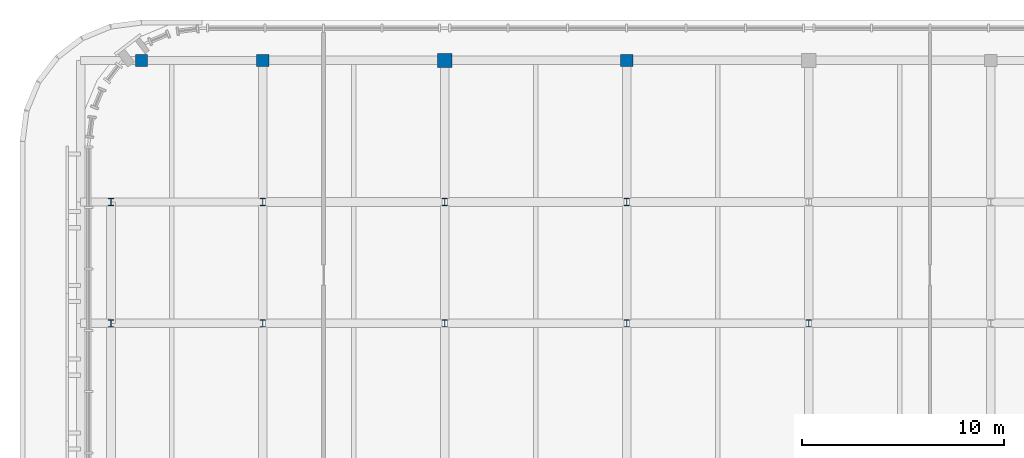
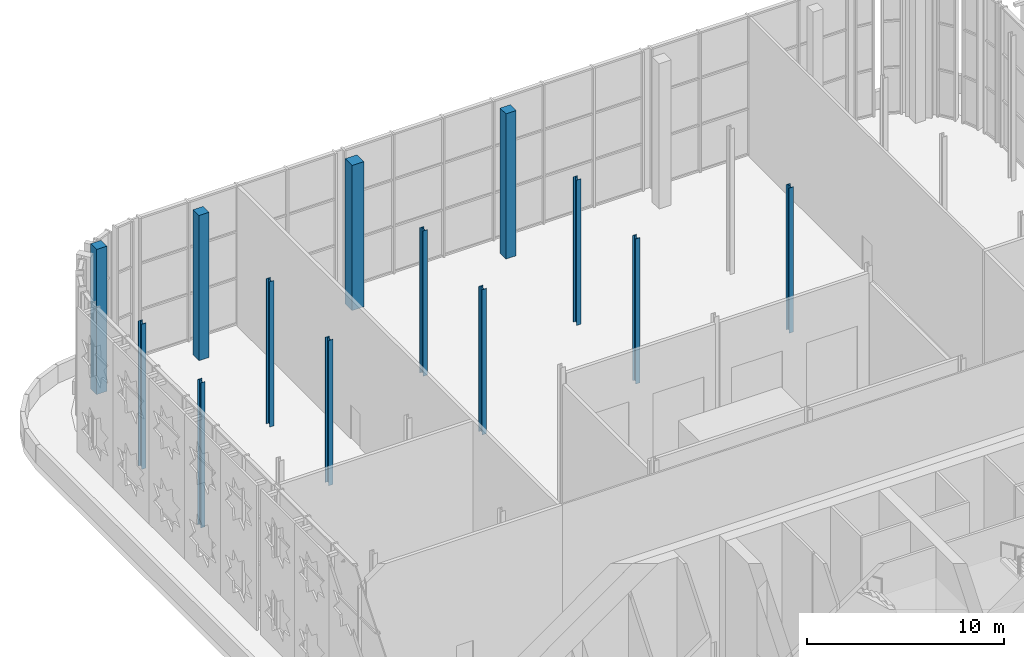
# One storey, part 3 of 26: 13 columns.
"""IFC4 building model written with IfcOpenShell, lengths in metres."""

from ifc_helpers import new_model, si_unit, direction, frame, origin, origin_2d, place, context, subcontext, project, spatial, rectangle, i_section, extrude, material, material_profile, profile_set, type_object, element, save


model = new_model("IFC4")

# Units and contexts
model_context = context("Model", 3, precision=1e-05, world=origin(), true_north=direction((0.0, 1.0)))
body_context = subcontext(model_context, "Body", "Model", "MODEL_VIEW")
ifc_project = project(units=[si_unit("LENGTHUNIT", "METRE"), si_unit("AREAUNIT", "SQUARE_METRE"), si_unit("VOLUMEUNIT", "CUBIC_METRE"), si_unit("PLANEANGLEUNIT", "RADIAN"), si_unit("MASSUNIT", "GRAM", prefix="KILO")], contexts=[model_context])

# Site, building, storey
site_placement = place(None, origin())
site = spatial("IfcSite", under=ifc_project, at=site_placement, CompositionType="ELEMENT")
building_placement = place(site_placement, origin())
building = spatial("IfcBuilding", under=site, at=building_placement, Name="Zellij Exchange Tower", CompositionType="ELEMENT")
storey_placement = place(building_placement, frame((0.0, 0.0, 296.5)))
storey = spatial("IfcBuildingStorey", under=building, at=storey_placement, Name="L70", CompositionType="ELEMENT", Elevation=296.5)

# Columns
ifc_material_1 = material(Name="Concrete C50/60", Category="concrete")
ifc_material_profile_1 = material_profile(ifc_material_1, rectangle(XDim=0.60009765625, YDim=0.60009765625, at=origin_2d()), Name="STR-COLUMN RC600x600 C50/60")
ifc_profile_set_1 = profile_set([ifc_material_profile_1], Name="Concrete C50/60")
column_type_1 = type_object("IfcColumnType", Name="STR-COLUMN RC600x600 C50/60", PredefinedType="COLUMN", material=ifc_profile_set_1)
for number, where, z_axis, x_axis, name in (
    (1, (-24.0, 35.0, 0.0), (0.0, 0.0, 1.0), (1.0, 0.0, 0.0), "C13"),
    (2, (-18.0, 35.0, 0.0), (0.0, 0.0, 1.0), (1.0, 0.0, 0.0), "C13"),
    (3, (0.0, 35.0, 0.0), (0.0, 0.0, 1.0), (1.0, 0.0, 0.0), "C13"),
):
    element("IfcColumn", number, at=place(storey_placement, frame(where, z_axis=z_axis, x_axis=x_axis)), inside=storey, type_object=column_type_1, Name=name, PredefinedType="COLUMN", context=body_context, shape_type="SweptSolid", body=[
        extrude(rectangle(XDim=0.60009765625, YDim=0.60009765625, at=origin_2d()), origin(), (0.0, 0.0, 1.0), 9.0),
    ])
ifc_material_2 = material(Name="Structural steel ASTM A992 Gr 50", Category="steel")
ifc_material_profile_2 = material_profile(ifc_material_2, i_section(OverallWidth=0.25390625, OverallDepth=0.35302734375, WebThickness=0.009521484375, FlangeThickness=0.016357421875, at=origin_2d()), Name="W14x61")
ifc_profile_set_2 = profile_set([ifc_material_profile_2], Name="Structural steel ASTM A992 Gr 50")
column_type_2 = type_object("IfcColumnType", Name="STR-COLUMN W14x61", PredefinedType="COLUMN", material=ifc_profile_set_2)
for number, where, z_axis, x_axis, name in (
    (4, (-25.5, 22.0, 0.0), (0.0, 0.0, 1.0), (1.0, 0.0, 0.0), "C6"),
    (5, (-18.0, 22.0, 0.0), (0.0, 0.0, 1.0), (1.0, 0.0, 0.0), "C6"),
    (6, (-9.0, 22.0, 0.0), (0.0, 0.0, 1.0), (1.0, 0.0, 0.0), "C6"),
    (7, (0.0, 22.0, 0.0), (0.0, 0.0, 1.0), (1.0, 0.0, 0.0), "C6"),
    (8, (9.0, 22.0, 0.0), (0.0, 0.0, 1.0), (1.0, 0.0, 0.0), "C6"),
    (9, (-25.5, 28.0, 0.0), (0.0, 0.0, 1.0), (1.0, 0.0, 0.0), "C6"),
    (10, (-18.0, 28.0, 0.0), (0.0, 0.0, 1.0), (1.0, 0.0, 0.0), "C6"),
    (11, (-9.0, 28.0, 0.0), (0.0, 0.0, 1.0), (1.0, 0.0, 0.0), "C6"),
    (12, (0.0, 28.0, 0.0), (0.0, 0.0, 1.0), (1.0, 0.0, 0.0), "C6"),
):
    element("IfcColumn", number, at=place(storey_placement, frame(where, z_axis=z_axis, x_axis=x_axis)), inside=storey, type_object=column_type_2, Name=name, PredefinedType="COLUMN", context=body_context, shape_type="SweptSolid", body=[
        extrude(i_section(OverallWidth=0.25390625, OverallDepth=0.35302734375, WebThickness=0.009521484375, FlangeThickness=0.016357421875, at=origin_2d()), origin(), (0.0, 0.0, 1.0), 9.0),
    ])
ifc_material_profile_3 = material_profile(ifc_material_1, rectangle(XDim=0.699951171875, YDim=0.699951171875, at=origin_2d()), Name="STR-MEGA COLUMN RC700x700 C50/60")
ifc_profile_set_3 = profile_set([ifc_material_profile_3], Name="Concrete C50/60")
column_type_3 = type_object("IfcColumnType", Name="STR-MEGA COLUMN RC700x700 C50/60", PredefinedType="COLUMN", material=ifc_profile_set_3)
column_placement = place(storey_placement, frame((-9.0, 35.0, 0.0), z_axis=(0.0, 0.0, 1.0), x_axis=(1.0, 0.0, 0.0)))
element("IfcColumn", 13, at=column_placement, inside=storey, type_object=column_type_3, Name="MC9", PredefinedType="COLUMN", context=body_context, shape_type="SweptSolid", body=[
    extrude(rectangle(XDim=0.699951171875, YDim=0.699951171875, at=origin_2d()), origin(), (0.0, 0.0, 1.0), 9.0),
])

save(model, "model.ifc")
